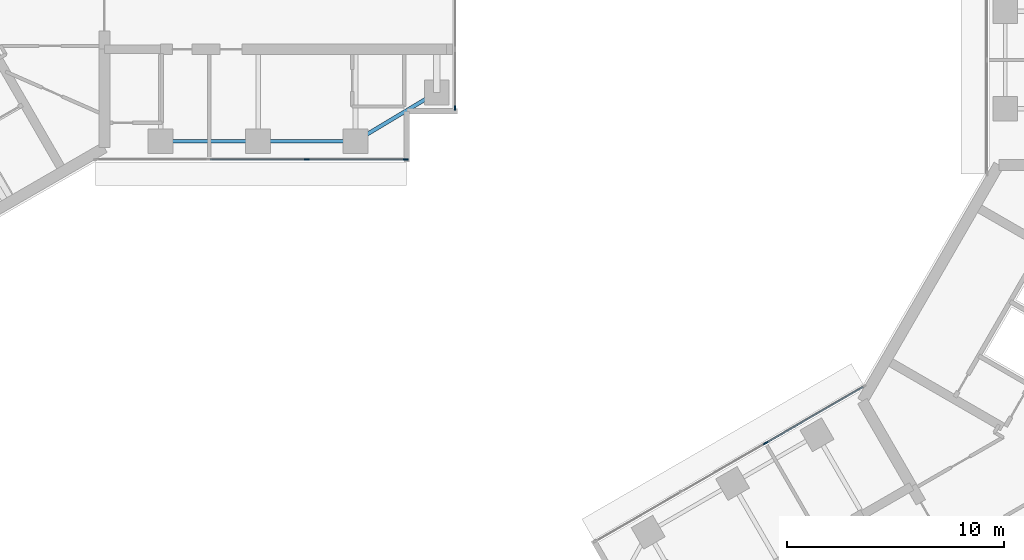
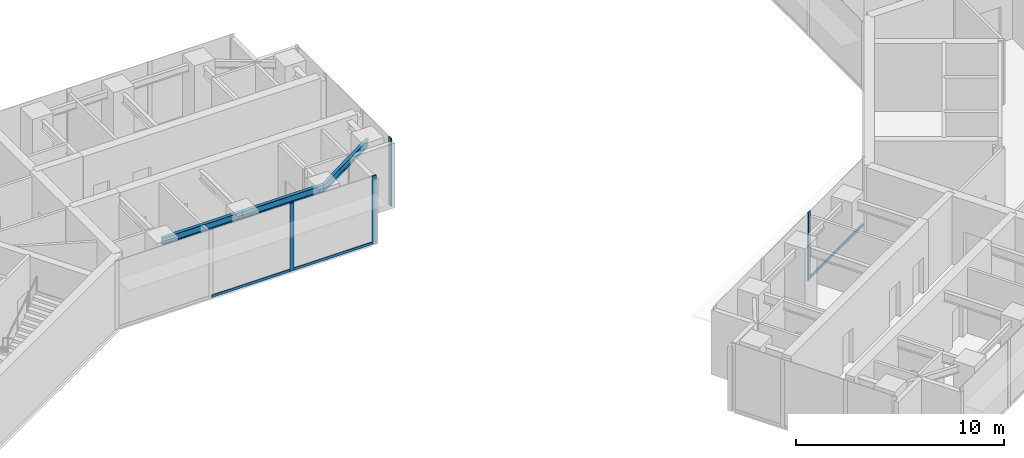
# One storey, part 4 of 17: 7 members, 3 beams, 3 elements without a shape of their own.
"""IFC4 building model written with IfcOpenShell, lengths in metres."""

import ifcopenshell
import ifcopenshell.guid

model = None  # the IFC model being written
_history = None  # IfcOwnerHistory: only IFC2X3 demands one
_inside = {}  # id of a spatial element -> (the spatial element, [elements in it])
_under = {}  # id of a project, library or spatial element -> (it, [spatial elements below it])
_declared = {}  # id of a project -> (the project, [libraries it declares])
_typed = {}  # id of a type object -> (the type object, [elements of that type])
_made_of = {}  # id of a material, layer set ... -> (it, [elements and type objects made of it])


def new_model(schema):
    """Start an empty IFC model of exactly this schema.

    Asked for "IFC4X3", IfcOpenShell would pick the latest addendum, in which some entities
    have other attributes; the version numbers below select the first issue.
    IFC2X3 requires an IfcOwnerHistory on every rooted entity: one is made here for all.
    """
    global model, _history
    if schema == "IFC4X3":
        model = ifcopenshell.file(schema_version=(4, 3, 0, 0))
    else:
        model = ifcopenshell.file(schema=schema)
    _inside.clear()
    _under.clear()
    _declared.clear()
    _typed.clear()
    _made_of.clear()
    _history = None
    if model.schema == "IFC2X3":
        org = make("IfcOrganization", Name="unknown")
        user = make(
            "IfcPersonAndOrganization",
            ThePerson=make("IfcPerson", FamilyName="unknown"),
            TheOrganization=org,
        )
        app = make(
            "IfcApplication",
            ApplicationDeveloper=org,
            Version="unknown",
            ApplicationFullName="unknown",
            ApplicationIdentifier="unknown",
        )
        _history = make(
            "IfcOwnerHistory",
            OwningUser=user,
            OwningApplication=app,
            ChangeAction="ADDED",
            CreationDate=0,
        )
    return model


def make(cls, **values):
    """One entity of the class cls with the attributes given. An attribute that is None is left unset."""
    return model.create_entity(
        cls, **{name: value for name, value in values.items() if value is not None}
    )


def rooted(cls, **values):
    """An entity with a GlobalId (a new one), such as an element, a storey or a relation."""
    return make(cls, GlobalId=ifcopenshell.guid.new(), OwnerHistory=_history, **values)


def si_unit(unit_type, name, prefix=None):
    """IfcSIUnit, for example si_unit("LENGTHUNIT", "METRE", prefix="MILLI")."""
    return make("IfcSIUnit", UnitType=unit_type, Prefix=prefix, Name=name)


def assignment(units):
    """IfcUnitAssignment: the units of a project."""
    return None if units is None else make("IfcUnitAssignment", Units=units)


def point(xyz):
    """IfcCartesianPoint."""
    return None if xyz is None else make("IfcCartesianPoint", Coordinates=xyz)


def direction(xyz):
    """IfcDirection."""
    return None if xyz is None else make("IfcDirection", DirectionRatios=xyz)


def frame(location, z_axis=None, x_axis=None):
    """IfcAxis2Placement3D, a coordinate frame: its origin and axes. An axis left out is left unset."""
    return make(
        "IfcAxis2Placement3D",
        Location=point(location),
        Axis=direction(z_axis),
        RefDirection=direction(x_axis),
    )


def frame_2d(location, x_axis=None):
    """IfcAxis2Placement2D, a coordinate frame in the plane: its origin and x axis."""
    return make(
        "IfcAxis2Placement2D", Location=point(location), RefDirection=direction(x_axis)
    )


def origin():
    """The frame at (0, 0, 0) with its axes left unset."""
    return frame((0.0, 0.0, 0.0))


def origin_2d():
    """The frame at (0, 0) in the plane with its x axis left unset."""
    return frame_2d((0.0, 0.0))


def place(relative_to, where):
    """IfcLocalPlacement: puts the frame where relative to a parent placement (None: the world)."""
    return make(
        "IfcLocalPlacement", PlacementRelTo=relative_to, RelativePlacement=where
    )


def context(
    kind, dimensions, precision=None, world=None, true_north=None, identifier=None
):
    """IfcGeometricRepresentationContext, for example the 3D "Model" context."""
    return make(
        "IfcGeometricRepresentationContext",
        ContextIdentifier=identifier,
        ContextType=kind,
        CoordinateSpaceDimension=dimensions,
        Precision=precision,
        WorldCoordinateSystem=world,
        TrueNorth=true_north,
    )


def subcontext(parent, identifier, kind, view, scale=None):
    """IfcGeometricRepresentationSubContext, for example "Body" below "Model"."""
    return make(
        "IfcGeometricRepresentationSubContext",
        ContextIdentifier=identifier,
        ContextType=kind,
        ParentContext=parent,
        TargetScale=scale,
        TargetView=view,
    )


def project(units=None, contexts=None):
    """IfcProject with its units and contexts."""
    return rooted(
        "IfcProject",
        Name="project",
        RepresentationContexts=contexts,
        UnitsInContext=assignment(units),
    )


def spatial(cls, under=None, at=None, **own):
    """A site, building, storey or space (cls), placed at a placement, below another one or the project."""
    s = rooted(cls, ObjectPlacement=at, **own)
    if under is not None:
        _under.setdefault(under.id(), (under, []))[1].append(s)
    return s


def profile(cls, at=None, kind="AREA", **sizes):
    """A parametric profile (cls). Its sizes go by their IFC names, for example OverallWidth=200.0."""
    return make(cls, ProfileType=kind, Position=at, **sizes)


def rectangle(**sizes):
    """IfcRectangleProfileDef."""
    return profile("IfcRectangleProfileDef", **sizes)


def i_section(**sizes):
    """IfcIShapeProfileDef."""
    return profile("IfcIShapeProfileDef", **sizes)


def extrude(swept, where, along, depth):
    """IfcExtrudedAreaSolid: the profile swept, set in the frame where, extruded along a direction by depth."""
    return make(
        "IfcExtrudedAreaSolid",
        SweptArea=swept,
        Position=where,
        ExtrudedDirection=direction(along),
        Depth=depth,
    )


def shape(context_of_items, identifier, shape_type, items):
    """IfcShapeRepresentation: the items that make up one representation, for example the "Body"."""
    return make(
        "IfcShapeRepresentation",
        ContextOfItems=context_of_items,
        RepresentationIdentifier=identifier,
        RepresentationType=shape_type,
        Items=items,
    )


def material(Name=None, Category=None):
    """IfcMaterial."""
    return make("IfcMaterial", Name=Name, Category=Category)


def material_profile(
    of_material, cross_section, Name=None, Category=None, Priority=None
):
    """IfcMaterialProfile: a cross section and its material."""
    return make(
        "IfcMaterialProfile",
        Name=Name,
        Material=of_material,
        Profile=cross_section,
        Priority=Priority,
        Category=Category,
    )


def profile_set(profiles, Name=None, composite=None):
    """IfcMaterialProfileSet."""
    return make(
        "IfcMaterialProfileSet",
        Name=Name,
        MaterialProfiles=profiles,
        CompositeProfile=composite,
    )


def made_of(thing, what):
    """Note that an element or type object is made of a material, layer set ...; save() writes the relation."""
    if what is not None:
        _made_of.setdefault(what.id(), (what, []))[1].append(thing)
    return thing


def type_object(cls, material=None, **own):
    """A type object (cls), such as IfcWallType, which elements share."""
    return made_of(rooted(cls, **own), material)


def element(
    cls,
    number,
    at=None,
    inside=None,
    cuts=None,
    type_object=None,
    material=None,
    context=None,
    identifier="Body",
    shape_type=None,
    held_by="IfcProductDefinitionShape",
    body=None,
    shapes=None,
    **own,
):
    """One element of the class cls, such as IfcWall. Its Tag is "e" and its number.

    at: its placement. inside: the storey or other place that contains it. cuts: it is an
    opening in that element (IfcRelVoidsElement). A single representation is given by context,
    identifier, shape_type and body (its items); several are given by shapes. held_by: the class
    of the entity that holds the representations. save() writes the other relations.
    """
    e = rooted(cls, Tag="e%d" % number, ObjectPlacement=at, **own)
    if body is not None:
        shapes = [shape(context, identifier, shape_type, body)]
    if shapes is not None:
        e.Representation = make(held_by, Representations=shapes)
    if inside is not None:
        _inside.setdefault(inside.id(), (inside, []))[1].append(e)
    if cuts is not None:
        rooted(
            "IfcRelVoidsElement", RelatingBuildingElement=cuts, RelatedOpeningElement=e
        )
    if type_object is not None:
        _typed.setdefault(type_object.id(), (type_object, []))[1].append(e)
    return made_of(e, material)


def aggregate(whole, parts):
    """IfcRelAggregates: a whole, such as a stair, and the parts it consists of."""
    return rooted("IfcRelAggregates", RelatingObject=whole, RelatedObjects=parts)


def save(model, path):
    """Write the relations noted so far, then the file.

    IfcRelAggregates (storeys below a building ...), IfcRelContainedInSpatialStructure (elements
    in a storey), IfcRelDefinesByType, IfcRelAssociatesMaterial and IfcRelDeclares: one each for
    every whole, place, type object, material and project.
    """
    for whole, parts in _under.values():
        aggregate(whole, parts)
    for where, things in _inside.values():
        rooted(
            "IfcRelContainedInSpatialStructure",
            RelatedElements=things,
            RelatingStructure=where,
        )
    for kind, things in _typed.values():
        rooted("IfcRelDefinesByType", RelatedObjects=things, RelatingType=kind)
    for what, things in _made_of.values():
        rooted("IfcRelAssociatesMaterial", RelatedObjects=things, RelatingMaterial=what)
    for by, libraries in _declared.values():
        rooted("IfcRelDeclares", RelatingContext=by, RelatedDefinitions=libraries)
    model.write(path)


model = new_model("IFC4")

# Units and contexts
model_context = context("Model", 3, precision=1e-05, world=origin(), true_north=direction((0.0, 1.0)))
body_context = subcontext(model_context, "Body", "Model", "MODEL_VIEW")
ifc_project = project(units=[si_unit("LENGTHUNIT", "METRE"), si_unit("AREAUNIT", "SQUARE_METRE"), si_unit("VOLUMEUNIT", "CUBIC_METRE"), si_unit("PLANEANGLEUNIT", "RADIAN"), si_unit("MASSUNIT", "GRAM", prefix="KILO")], contexts=[model_context])

# Site, building, storey
site_placement = place(None, origin())
site = spatial("IfcSite", under=ifc_project, at=site_placement, CompositionType="ELEMENT")
building_placement = place(site_placement, origin())
building = spatial("IfcBuilding", under=site, at=building_placement, Name="Upepo Twin Towers", CompositionType="ELEMENT")
storey_placement = place(building_placement, frame((0.0, 0.0, 194.5)))
storey = spatial("IfcBuildingStorey", under=building, at=storey_placement, Name="L47", CompositionType="ELEMENT", Elevation=194.5)

# Beams
ifc_material_1 = material(Name="Steel S355", Category="steel")
ifc_material_profile_1 = material_profile(ifc_material_1, i_section(OverallWidth=0.177978515625, OverallDepth=0.406494140625, WebThickness=0.0078125, FlangeThickness=0.0126953125, FilletRadius=0.01025390625, at=origin_2d()), Name="UB 406x178x60")
ifc_profile_set_1 = profile_set([ifc_material_profile_1], Name="Steel S355")
beam_type = type_object("IfcBeamType", Name="Beam UB 406x178x60", PredefinedType="BEAM", material=ifc_profile_set_1)
for number, where, z_axis, x_axis, name in (
    (1, (13.5, -6.0, 3.5966796875), (1.0, 0.0, 0.0), (0.0, 1.0, 0.0), "T1 edge beam AR 13.5-18.0"),
    (2, (18.0, -6.0, 3.5966796875), (1.0, 0.0, 0.0), (0.0, 1.0, 0.0), "T1 edge beam AR 18.0-22.5"),
):
    element("IfcBeam", number, at=place(storey_placement, frame(where, z_axis=z_axis, x_axis=x_axis)), inside=storey, type_object=beam_type, Name=name, PredefinedType="BEAM", context=body_context, shape_type="SweptSolid", body=[
        extrude(i_section(OverallWidth=0.177978515625, OverallDepth=0.406494140625, WebThickness=0.0078125, FlangeThickness=0.0126953125, FilletRadius=0.01025390625, at=origin_2d()), origin(), (0.0, 0.0, 1.0), 4.5),
    ])
beam_placement = place(storey_placement, frame((22.5, -6.0, 3.5966796875), z_axis=(0.857492925713, 0.514495755428, 0.0), x_axis=(-0.514495755428, 0.857492925713, 0.0)))
element("IfcBeam", 3, at=beam_placement, inside=storey, type_object=beam_type, Name="T1 nose edge beam AR", PredefinedType="BEAM", context=body_context, shape_type="SweptSolid", body=[
    extrude(i_section(OverallWidth=0.177978515625, OverallDepth=0.406494140625, WebThickness=0.0078125, FlangeThickness=0.0126953125, FilletRadius=0.01025390625, at=origin_2d()), origin(), (0.0, 0.0, 1.0), 4.373291015625),
])

# Curtain wall, members
ifc_material_2 = material(Name="Aluminium and fritted glass", Category="aluminium")
curtain_wall_type = type_object("IfcCurtainWallType", Name="Tower curtain wall TW3, fritted glass", PredefinedType="NOTDEFINED", material=ifc_material_2)
curtain_wall_1_placement = place(storey_placement, origin())
curtain_wall_1 = element("IfcCurtainWall", 4, at=curtain_wall_1_placement, inside=storey, type_object=curtain_wall_type, Name="T1 L47 wing A flank R curtain wall", PredefinedType="NOTDEFINED")
ifc_material_3 = material(Name="Aluminium mullion", Category="aluminium")
ifc_material_profile_2 = material_profile(ifc_material_3, rectangle(XDim=0.06494140625, YDim=0.22509765625, at=origin_2d()), Name="MULLION 65x225")
ifc_profile_set_2 = profile_set([ifc_material_profile_2], Name="Aluminium mullion")
member_type_1 = type_object("IfcMemberType", Name="Mullion 65x225 TW3", PredefinedType="MULLION", material=ifc_profile_set_2)
member_1_placement = place(storey_placement, frame((24.8173828125, -6.85009765625, 0.0), z_axis=(0.0, 0.0, 1.0), x_axis=(0.0, -1.0, 0.0)))
member_1 = element("IfcMember", 5, at=member_1_placement, type_object=member_type_1, Name="T1 L47 wing A flank R curtain wall mullion 1", PredefinedType="MULLION", context=body_context, shape_type="SweptSolid", body=[
    extrude(rectangle(XDim=0.06494140625, YDim=0.22509765625, at=origin_2d()), origin(), (0.0, 0.0, 1.0), 4.0),
])
member_2_placement = place(storey_placement, frame((20.25, -6.85009765625, 0.0), z_axis=(0.0, 0.0, 1.0), x_axis=(0.0, -1.0, 0.0)))
member_2 = element("IfcMember", 6, at=member_2_placement, type_object=member_type_1, Name="T1 L47 wing A flank R curtain wall mullion 2", PredefinedType="MULLION", context=body_context, shape_type="SweptSolid", body=[
    extrude(rectangle(XDim=0.06494140625, YDim=0.22509765625, at=origin_2d()), origin(), (0.0, 0.0, 1.0), 4.0),
])

# Curtain wall, member
curtain_wall_2_placement = place(storey_placement, origin())
curtain_wall_2 = element("IfcCurtainWall", 7, at=curtain_wall_2_placement, inside=storey, type_object=curtain_wall_type, Name="T1 L47 wing A nose curtain wall", PredefinedType="NOTDEFINED")
member_3_placement = place(storey_placement, frame((27.10009765625, -4.467529296875, 0.0), z_axis=(0.0, 0.0, 1.0), x_axis=(-1.0, 0.0, 0.0)))
member_3 = element("IfcMember", 8, at=member_3_placement, type_object=member_type_1, Name="T1 L47 wing A nose curtain wall mullion 1", PredefinedType="MULLION", context=body_context, shape_type="SweptSolid", body=[
    extrude(rectangle(XDim=0.06494140625, YDim=0.22509765625, at=origin_2d()), origin(), (0.0, 0.0, 1.0), 4.0),
])
aggregate(curtain_wall_2, [member_3])

curtain_wall_3_placement = place(storey_placement, origin())
curtain_wall_3 = element("IfcCurtainWall", 9, at=curtain_wall_3_placement, inside=storey, type_object=curtain_wall_type, Name="T2 L47 wing B flank R curtain wall", PredefinedType="NOTDEFINED")
member_4_placement = place(storey_placement, frame((41.43505859375, -19.942626953125, 0.0), z_axis=(0.0, 0.0, 1.0), x_axis=(-0.500000026527, 0.866025388469, 0.0)))
member_4 = element("IfcMember", 10, at=member_4_placement, type_object=member_type_1, Name="T2 L47 wing B flank R curtain wall mullion 3", PredefinedType="MULLION", context=body_context, shape_type="SweptSolid", body=[
    extrude(rectangle(XDim=0.06494140625, YDim=0.22509765625, at=origin_2d()), origin(), (0.0, 0.0, 1.0), 4.0),
])

# Member
ifc_material_4 = material(Name="Aluminium transom", Category="aluminium")
ifc_material_profile_3 = material_profile(ifc_material_4, rectangle(XDim=0.06494140625, YDim=0.14990234375, at=origin_2d()), Name="TRANSOM 65x150")
ifc_profile_set_3 = profile_set([ifc_material_profile_3], Name="Aluminium transom")
member_type_2 = type_object("IfcMemberType", Name="Transom 65x150 TW3", PredefinedType="USERDEFINED", material=ifc_profile_set_3)
member_5_placement = place(storey_placement, frame((24.784912109375, -6.85009765625, 0.074951171875), z_axis=(-1.0, 0.0, 0.0), x_axis=(0.0, -1.0, 0.0)))
member_5 = element("IfcMember", 11, at=member_5_placement, type_object=member_type_2, Name="T1 L47 wing A flank R curtain wall transom 1", ObjectType="TRANSOM", PredefinedType="USERDEFINED", context=body_context, shape_type="SweptSolid", body=[
    extrude(rectangle(XDim=0.06494140625, YDim=0.14990234375, at=origin_2d()), origin(), (0.0, 0.0, 1.0), 4.50244140625),
])

member_6_placement = place(storey_placement, frame((20.217529296875, -6.85009765625, 0.074951171875), z_axis=(-1.0, 0.0, 0.0), x_axis=(0.0, -1.0, 0.0)))
member_6 = element("IfcMember", 12, at=member_6_placement, type_object=member_type_2, Name="T1 L47 wing A flank R curtain wall transom 2", ObjectType="TRANSOM", PredefinedType="USERDEFINED", context=body_context, shape_type="SweptSolid", body=[
    extrude(rectangle(XDim=0.06494140625, YDim=0.14990234375, at=origin_2d()), origin(), (0.0, 0.0, 1.0), 4.43505859375),
])

aggregate(curtain_wall_1, [member_1, member_2, member_5, member_6])

member_7_placement = place(storey_placement, frame((41.463134765625, -19.926513671875, 0.074951171875), z_axis=(0.86602108507, 0.500007480159, 0.0), x_axis=(-0.500007480159, 0.86602108507, 0.0)))
member_7 = element("IfcMember", 13, at=member_7_placement, type_object=member_type_2, Name="T2 L47 wing B flank R curtain wall transom 3", ObjectType="TRANSOM", PredefinedType="USERDEFINED", context=body_context, shape_type="SweptSolid", body=[
    extrude(rectangle(XDim=0.06494140625, YDim=0.14990234375, at=origin_2d()), origin(), (0.0, 0.0, 1.0), 5.16552734375),
])

aggregate(curtain_wall_3, [member_4, member_7])

save(model, "model.ifc")
